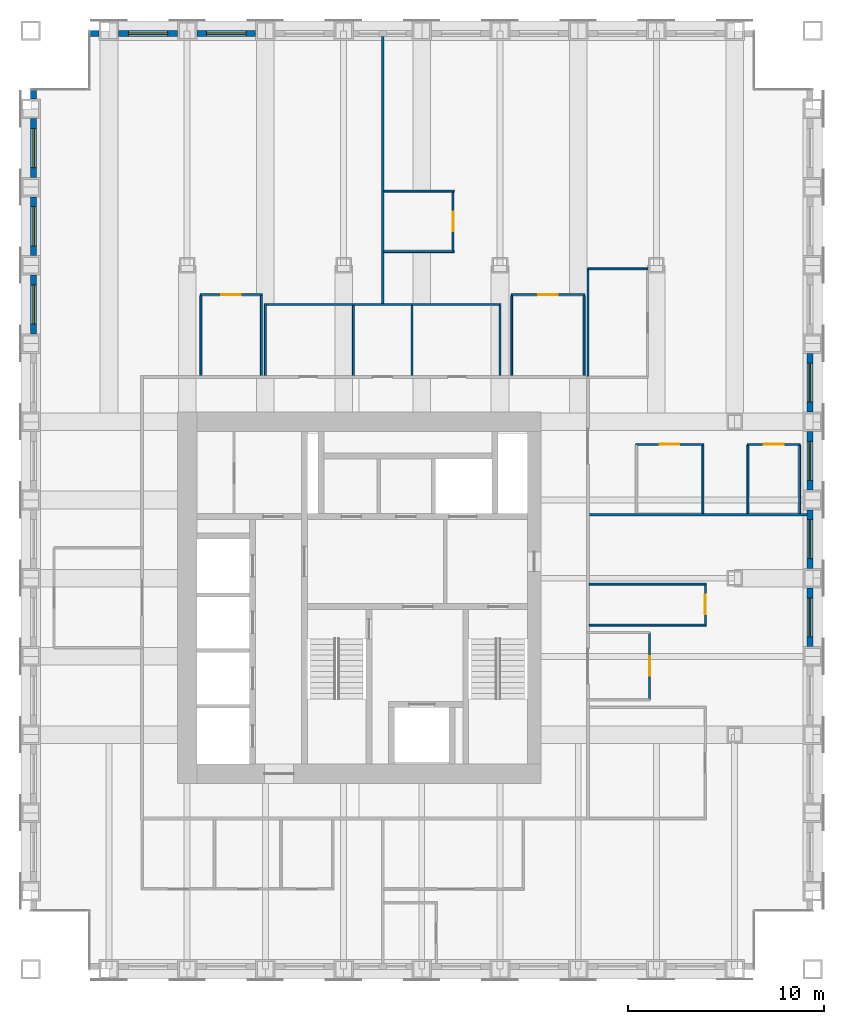
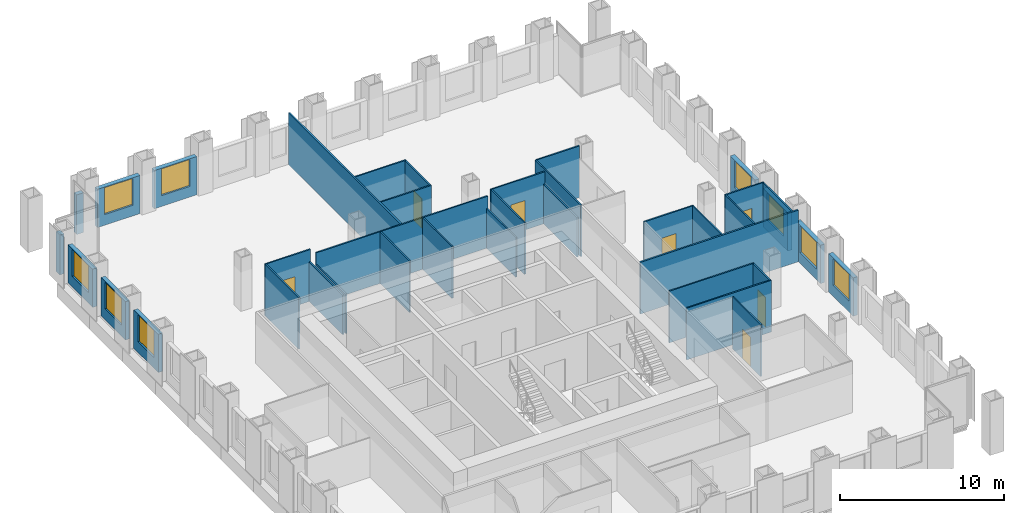
# One storey, part 11 of 14: 38 walls, 9 windows, 7 doors, 16 openings.
"""IFC4 building model written with IfcOpenShell, lengths in metres."""

from ifc_helpers import new_model, si_unit, direction, frame, frame_2d, origin, place, context, subcontext, project, spatial, rectangle, extrude, material, layer, layer_set, type_object, element, fill, save


model = new_model("IFC4")

# Units and contexts
model_context = context("Model", 3, precision=1e-05, world=origin(), true_north=direction((0.0, 1.0)))
body_context = subcontext(model_context, "Body", "Model", "MODEL_VIEW")
ifc_project = project(units=[si_unit("LENGTHUNIT", "METRE"), si_unit("AREAUNIT", "SQUARE_METRE"), si_unit("VOLUMEUNIT", "CUBIC_METRE"), si_unit("PLANEANGLEUNIT", "RADIAN"), si_unit("MASSUNIT", "GRAM", prefix="KILO")], contexts=[model_context])

# Site, building, storey
site_placement = place(None, origin())
site = spatial("IfcSite", under=ifc_project, at=site_placement, CompositionType="ELEMENT")
building_placement = place(site_placement, origin())
building = spatial("IfcBuilding", under=site, at=building_placement, Name="Rimbunsela Tower", CompositionType="ELEMENT")
storey_placement = place(building_placement, frame((0.0, 0.0, 226.199951171875)))
storey = spatial("IfcBuildingStorey", under=building, at=storey_placement, Name="L54", CompositionType="ELEMENT", Elevation=226.199951171875)

# Walls
ifc_material_1 = material(Name="Gypsum board on steel studs", Category="steel")
ifc_layer_1 = layer(ifc_material_1, 0.10009765625)
ifc_layer_set_1 = layer_set([ifc_layer_1], Name="Office partition 100")
wall_type_1 = type_object("IfcWallType", Name="Office partition 100", PredefinedType="PARTITIONING", material=ifc_layer_set_1)
for number, where, z_axis, x_axis, name in (
    (1, (38.574951171875, 25.59912109375, 0.0), (0.0, 0.0, 1.0), (1.0, 0.0, 0.0), "Office partition"),
    (2, (38.574951171875, 27.698974609375, 0.0), (0.0, 0.0, 1.0), (1.0, 0.0, 0.0), "Office partition"),
):
    element("IfcWall", number, at=place(storey_placement, frame(where, z_axis=z_axis, x_axis=x_axis)), inside=storey, type_object=wall_type_1, Name=name, PredefinedType="PARTITIONING", context=body_context, shape_type="SweptSolid", body=[
        extrude(rectangle(XDim=5.97509765625, YDim=0.10009765625, at=frame_2d((2.987548828125, 0.0))), origin(), (0.0, 0.0, 1.0), 3.85009765625),
    ])

# Wall, opening, door
wall_1_placement = place(storey_placement, frame((40.925048828125, 34.85009765625, 0.0), z_axis=(0.0, 0.0, 1.0), x_axis=(1.0, 0.0, 0.0)))
wall_1 = element("IfcWall", 3, at=wall_1_placement, inside=storey, type_object=wall_type_1, Name="Office partition", PredefinedType="PARTITIONING", context=body_context, shape_type="SweptSolid", body=[
    extrude(rectangle(XDim=3.5, YDim=0.10009765625, at=frame_2d((1.75, 0.0))), origin(), (0.0, 0.0, 1.0), 3.85009765625),
])
opening_1_placement = place(wall_1_placement, frame((1.25, 0.0, 0.0)))
opening_1 = element("IfcOpeningElement", 4, at=opening_1_placement, cuts=wall_1, Name="Opening D16", PredefinedType="OPENING", context=body_context, shape_type="SweptSolid", body=[
    extrude(rectangle(XDim=1.0, YDim=2.199951171875, at=frame_2d((0.5, 1.10009765625))), frame((0.0, 0.06005859375, 0.0), z_axis=(0.0, -1.0, 0.0), x_axis=(1.0, 0.0, 0.0)), (0.0, 0.0, 1.0), 0.1201171875),
])
ifc_material_2 = material(Name="Timber door", Category="wood")
door_type_1 = type_object("IfcDoorType", Name="Office door 1000", OperationType="SINGLE_SWING_LEFT", PredefinedType="DOOR", material=ifc_material_2)
door_1_placement = place(opening_1_placement, origin())
door_1 = element("IfcDoor", 5, at=door_1_placement, inside=storey, type_object=door_type_1, Name="Office door", OperationType="SINGLE_SWING_LEFT", OverallHeight=2.199951171875, OverallWidth=1.0, PredefinedType="DOOR", context=body_context, shape_type="SweptSolid", body=[
    extrude(rectangle(XDim=1.0, YDim=2.199951171875, at=frame_2d((0.5, 1.10009765625))), frame((0.0, 0.02490234375, 0.0), z_axis=(0.0, -1.0, 0.0), x_axis=(1.0, 0.0, 0.0)), (0.0, 0.0, 1.0), 0.050048828125),
])
fill(opening_1, door_1)

wall_2_placement = place(storey_placement, frame((46.625, 34.85009765625, 0.0), z_axis=(0.0, 0.0, 1.0), x_axis=(1.0, 0.0, 0.0)))
wall_2 = element("IfcWall", 6, at=wall_2_placement, inside=storey, type_object=wall_type_1, Name="Office partition", PredefinedType="PARTITIONING", context=body_context, shape_type="SweptSolid", body=[
    extrude(rectangle(XDim=2.75, YDim=0.10009765625, at=frame_2d((1.375, 0.0))), origin(), (0.0, 0.0, 1.0), 3.85009765625),
])
opening_2_placement = place(wall_2_placement, frame((0.875, 0.0, 0.0)))
opening_2 = element("IfcOpeningElement", 7, at=opening_2_placement, cuts=wall_2, Name="Opening D16", PredefinedType="OPENING", context=body_context, shape_type="SweptSolid", body=[
    extrude(rectangle(XDim=1.0, YDim=2.199951171875, at=frame_2d((0.5, 1.10009765625))), frame((0.0, 0.06005859375, 0.0), z_axis=(0.0, -1.0, 0.0), x_axis=(1.0, 0.0, 0.0)), (0.0, 0.0, 1.0), 0.1201171875),
])
door_2_placement = place(opening_2_placement, origin())
door_2 = element("IfcDoor", 8, at=door_2_placement, inside=storey, type_object=door_type_1, Name="Office door", OperationType="SINGLE_SWING_LEFT", OverallHeight=2.199951171875, OverallWidth=1.0, PredefinedType="DOOR", context=body_context, shape_type="SweptSolid", body=[
    extrude(rectangle(XDim=1.0, YDim=2.199951171875, at=frame_2d((0.5, 1.10009765625))), frame((0.0, 0.02490234375, 0.0), z_axis=(0.0, -1.0, 0.0), x_axis=(1.0, 0.0, 0.0)), (0.0, 0.0, 1.0), 0.050048828125),
])
fill(opening_2, door_2)

wall_3_placement = place(storey_placement, frame((18.64990234375, 42.5, 0.0), z_axis=(0.0, 0.0, 1.0), x_axis=(1.0, 0.0, 0.0)))
wall_3 = element("IfcWall", 9, at=wall_3_placement, inside=storey, type_object=wall_type_1, Name="Office partition", PredefinedType="PARTITIONING", context=body_context, shape_type="SweptSolid", body=[
    extrude(rectangle(XDim=3.2001953125, YDim=0.10009765625, at=frame_2d((1.60009765625, 0.0))), origin(), (0.0, 0.0, 1.0), 3.85009765625),
])
opening_3_placement = place(wall_3_placement, frame((1.10009765625, 0.0, 0.0)))
opening_3 = element("IfcOpeningElement", 10, at=opening_3_placement, cuts=wall_3, Name="Opening D16", PredefinedType="OPENING", context=body_context, shape_type="SweptSolid", body=[
    extrude(rectangle(XDim=1.0, YDim=2.199951171875, at=frame_2d((0.5, 1.10009765625))), frame((0.0, 0.06005859375, 0.0), z_axis=(0.0, -1.0, 0.0), x_axis=(1.0, 0.0, 0.0)), (0.0, 0.0, 1.0), 0.1201171875),
])
door_3_placement = place(opening_3_placement, origin())
door_3 = element("IfcDoor", 11, at=door_3_placement, inside=storey, type_object=door_type_1, Name="Office door", OperationType="SINGLE_SWING_LEFT", OverallHeight=2.199951171875, OverallWidth=1.0, PredefinedType="DOOR", context=body_context, shape_type="SweptSolid", body=[
    extrude(rectangle(XDim=1.0, YDim=2.199951171875, at=frame_2d((0.5, 1.10009765625))), frame((0.0, 0.02490234375, 0.0), z_axis=(0.0, -1.0, 0.0), x_axis=(1.0, 0.0, 0.0)), (0.0, 0.0, 1.0), 0.050048828125),
])
fill(opening_3, door_3)

wall_4_placement = place(storey_placement, frame((34.550048828125, 42.5, 0.0), z_axis=(0.0, 0.0, 1.0), x_axis=(1.0, 0.0, 0.0)))
wall_4 = element("IfcWall", 12, at=wall_4_placement, inside=storey, type_object=wall_type_1, Name="Office partition", PredefinedType="PARTITIONING", context=body_context, shape_type="SweptSolid", body=[
    extrude(rectangle(XDim=3.800048828125, YDim=0.10009765625, at=frame_2d((1.89990234375, 0.0))), origin(), (0.0, 0.0, 1.0), 3.85009765625),
])
opening_4_placement = place(wall_4_placement, frame((1.39990234375, 0.0, 0.0)))
opening_4 = element("IfcOpeningElement", 13, at=opening_4_placement, cuts=wall_4, Name="Opening D17", PredefinedType="OPENING", context=body_context, shape_type="SweptSolid", body=[
    extrude(rectangle(XDim=1.0, YDim=2.199951171875, at=frame_2d((0.5, 1.10009765625))), frame((0.0, 0.06005859375, 0.0), z_axis=(0.0, -1.0, 0.0), x_axis=(1.0, 0.0, 0.0)), (0.0, 0.0, 1.0), 0.1201171875),
])
ifc_material_3 = material(Name="Glazed aluminium door", Category="aluminium")
door_type_2 = type_object("IfcDoorType", Name="Meeting room door 1000 glazed", OperationType="SINGLE_SWING_RIGHT", PredefinedType="DOOR", material=ifc_material_3)
door_4_placement = place(opening_4_placement, origin())
door_4 = element("IfcDoor", 14, at=door_4_placement, inside=storey, type_object=door_type_2, Name="Meeting room door", OperationType="SINGLE_SWING_RIGHT", OverallHeight=2.199951171875, OverallWidth=1.0, PredefinedType="DOOR", context=body_context, shape_type="SweptSolid", body=[
    extrude(rectangle(XDim=1.0, YDim=2.199951171875, at=frame_2d((0.5, 1.10009765625))), frame((0.0, 0.02490234375, 0.0), z_axis=(0.0, -1.0, 0.0), x_axis=(1.0, 0.0, 0.0)), (0.0, 0.0, 1.0), 0.050048828125),
])
fill(opening_4, door_4)

# Walls
for number, where, z_axis, x_axis, name in (
    (15, (28.06005859375, 44.699951171875, 0.0), (0.0, 0.0, 1.0), (1.0, 0.0, 0.0), "Office partition"),
    (16, (28.06005859375, 47.800048828125, 0.0), (0.0, 0.0, 1.0), (1.0, 0.0, 0.0), "Office partition"),
):
    element("IfcWall", number, at=place(storey_placement, frame(where, z_axis=z_axis, x_axis=x_axis)), inside=storey, type_object=wall_type_1, Name=name, PredefinedType="PARTITIONING", context=body_context, shape_type="SweptSolid", body=[
        extrude(rectangle(XDim=3.58984375, YDim=0.10009765625, at=frame_2d((1.794921875, 0.0))), origin(), (0.0, 0.0, 1.0), 3.85009765625),
    ])
wall_5_placement = place(storey_placement, frame((18.699951171875, 38.375, 0.0), z_axis=(0.0, 0.0, 1.0), x_axis=(0.0, 1.0, 0.0)))
element("IfcWall", 17, at=wall_5_placement, inside=storey, type_object=wall_type_1, Name="Office partition", PredefinedType="PARTITIONING", context=body_context, shape_type="SweptSolid", body=[
    extrude(rectangle(XDim=4.074951171875, YDim=0.10009765625, at=frame_2d((2.03759765625, 0.0))), origin(), (0.0, 0.0, 1.0), 3.85009765625),
])
wall_6_placement = place(storey_placement, frame((21.800048828125, 38.375, 0.0), z_axis=(0.0, 0.0, 1.0), x_axis=(0.0, 1.0, 0.0)))
element("IfcWall", 18, at=wall_6_placement, inside=storey, type_object=wall_type_1, Name="Office partition", PredefinedType="PARTITIONING", context=body_context, shape_type="SweptSolid", body=[
    extrude(rectangle(XDim=4.074951171875, YDim=0.10009765625, at=frame_2d((2.03759765625, 0.0))), origin(), (0.0, 0.0, 1.0), 2.949951171875),
])

# Wall, opening, door
wall_7_placement = place(storey_placement, frame((31.60009765625, 44.75, 0.0), z_axis=(0.0, 0.0, 1.0), x_axis=(0.0, 1.0, 0.0)))
wall_7 = element("IfcWall", 19, at=wall_7_placement, inside=storey, type_object=wall_type_1, Name="Office partition", PredefinedType="PARTITIONING", context=body_context, shape_type="SweptSolid", body=[
    extrude(rectangle(XDim=3.0, YDim=0.10009765625, at=frame_2d((1.5, 0.0))), origin(), (0.0, 0.0, 1.0), 3.85009765625),
])
opening_5_placement = place(wall_7_placement, frame((1.0, 0.0, 0.0)))
opening_5 = element("IfcOpeningElement", 20, at=opening_5_placement, cuts=wall_7, Name="Opening D16", PredefinedType="OPENING", context=body_context, shape_type="SweptSolid", body=[
    extrude(rectangle(XDim=1.0, YDim=2.199951171875, at=frame_2d((0.5, 1.10009765625))), frame((0.0, 0.06005859375, 0.0), z_axis=(0.0, -1.0, 0.0), x_axis=(1.0, 0.0, 0.0)), (0.0, 0.0, 1.0), 0.1201171875),
])
door_5_placement = place(opening_5_placement, origin())
door_5 = element("IfcDoor", 21, at=door_5_placement, inside=storey, type_object=door_type_1, Name="Office door", OperationType="SINGLE_SWING_LEFT", OverallHeight=2.199951171875, OverallWidth=1.0, PredefinedType="DOOR", context=body_context, shape_type="SweptSolid", body=[
    extrude(rectangle(XDim=1.0, YDim=2.199951171875, at=frame_2d((0.5, 1.10009765625))), frame((0.0, 0.02490234375, 0.0), z_axis=(0.0, -1.0, 0.0), x_axis=(1.0, 0.0, 0.0)), (0.0, 0.0, 1.0), 0.050048828125),
])
fill(opening_5, door_5)

# Walls
wall_8_placement = place(storey_placement, frame((34.60009765625, 38.375, 0.0), z_axis=(0.0, 0.0, 1.0), x_axis=(0.0, 1.0, 0.0)))
element("IfcWall", 22, at=wall_8_placement, inside=storey, type_object=wall_type_1, Name="Office partition", PredefinedType="PARTITIONING", context=body_context, shape_type="SweptSolid", body=[
    extrude(rectangle(XDim=4.074951171875, YDim=0.10009765625, at=frame_2d((2.03759765625, 0.0))), origin(), (0.0, 0.0, 1.0), 3.85009765625),
])
wall_9_placement = place(storey_placement, frame((38.300048828125, 38.375, 0.0), z_axis=(0.0, 0.0, 1.0), x_axis=(0.0, 1.0, 0.0)))
element("IfcWall", 23, at=wall_9_placement, inside=storey, type_object=wall_type_1, Name="Office partition", PredefinedType="PARTITIONING", context=body_context, shape_type="SweptSolid", body=[
    extrude(rectangle(XDim=4.074951171875, YDim=0.10009765625, at=frame_2d((2.03759765625, 0.0))), origin(), (0.0, 0.0, 1.0), 2.949951171875),
])
wall_10_placement = place(storey_placement, frame((44.375, 31.31005859375, 0.0), z_axis=(0.0, 0.0, 1.0), x_axis=(0.0, 1.0, 0.0)))
element("IfcWall", 24, at=wall_10_placement, inside=storey, type_object=wall_type_1, Name="Office partition", PredefinedType="PARTITIONING", context=body_context, shape_type="SweptSolid", body=[
    extrude(rectangle(XDim=3.489990234375, YDim=0.10009765625, at=frame_2d((1.7451171875, 0.0))), origin(), (0.0, 0.0, 1.0), 3.85009765625),
])

# Wall, opening, door
wall_11_placement = place(storey_placement, frame((44.5, 25.64892578125, 0.0), z_axis=(0.0, 0.0, 1.0), x_axis=(0.0, 1.0, 0.0)))
wall_11 = element("IfcWall", 25, at=wall_11_placement, inside=storey, type_object=wall_type_1, Name="Office partition", PredefinedType="PARTITIONING", context=body_context, shape_type="SweptSolid", body=[
    extrude(rectangle(XDim=2.0, YDim=0.10009765625, at=frame_2d((1.0, 0.0))), origin(), (0.0, 0.0, 1.0), 3.85009765625),
])
opening_6_placement = place(wall_11_placement, frame((0.5, 0.0, 0.0)))
opening_6 = element("IfcOpeningElement", 26, at=opening_6_placement, cuts=wall_11, Name="Opening D16", PredefinedType="OPENING", context=body_context, shape_type="SweptSolid", body=[
    extrude(rectangle(XDim=1.0, YDim=2.199951171875, at=frame_2d((0.5, 1.10009765625))), frame((0.0, 0.06005859375, 0.0), z_axis=(0.0, -1.0, 0.0), x_axis=(1.0, 0.0, 0.0)), (0.0, 0.0, 1.0), 0.1201171875),
])
door_6_placement = place(opening_6_placement, origin())
door_6 = element("IfcDoor", 27, at=door_6_placement, inside=storey, type_object=door_type_1, Name="Office door", OperationType="SINGLE_SWING_LEFT", OverallHeight=2.199951171875, OverallWidth=1.0, PredefinedType="DOOR", context=body_context, shape_type="SweptSolid", body=[
    extrude(rectangle(XDim=1.0, YDim=2.199951171875, at=frame_2d((0.5, 1.10009765625))), frame((0.0, 0.02490234375, 0.0), z_axis=(0.0, -1.0, 0.0), x_axis=(1.0, 0.0, 0.0)), (0.0, 0.0, 1.0), 0.050048828125),
])
fill(opening_6, door_6)

# Walls
for number, where, z_axis, x_axis, name in (
    (28, (46.675048828125, 31.31005859375, 0.0), (0.0, 0.0, 1.0), (0.0, 1.0, 0.0), "Office partition"),
    (29, (49.324951171875, 31.31005859375, 0.0), (0.0, 0.0, 1.0), (0.0, 1.0, 0.0), "Office partition"),
):
    element("IfcWall", number, at=place(storey_placement, frame(where, z_axis=z_axis, x_axis=x_axis)), inside=storey, type_object=wall_type_1, Name=name, PredefinedType="PARTITIONING", context=body_context, shape_type="SweptSolid", body=[
        extrude(rectangle(XDim=3.489990234375, YDim=0.10009765625, at=frame_2d((1.7451171875, 0.0))), origin(), (0.0, 0.0, 1.0), 3.85009765625),
    ])

# Wall, opening, door
wall_12_placement = place(storey_placement, frame((41.64990234375, 21.77392578125, 0.0), z_axis=(0.0, 0.0, 1.0), x_axis=(0.0, 1.0, 0.0)))
wall_12 = element("IfcWall", 30, at=wall_12_placement, inside=storey, type_object=wall_type_1, Name="Office partition", PredefinedType="PARTITIONING", context=body_context, shape_type="SweptSolid", body=[
    extrude(rectangle(XDim=3.4501953125, YDim=0.10009765625, at=frame_2d((1.72509765625, 0.0))), origin(), (0.0, 0.0, 1.0), 3.85009765625),
])
opening_7_placement = place(wall_12_placement, frame((1.22509765625, 0.0, 0.0)))
opening_7 = element("IfcOpeningElement", 31, at=opening_7_placement, cuts=wall_12, Name="Opening D17", PredefinedType="OPENING", context=body_context, shape_type="SweptSolid", body=[
    extrude(rectangle(XDim=1.0, YDim=2.199951171875, at=frame_2d((0.5, 1.10009765625))), frame((0.0, 0.06005859375, 0.0), z_axis=(0.0, -1.0, 0.0), x_axis=(1.0, 0.0, 0.0)), (0.0, 0.0, 1.0), 0.1201171875),
])
door_7_placement = place(opening_7_placement, origin())
door_7 = element("IfcDoor", 32, at=door_7_placement, inside=storey, type_object=door_type_2, Name="Reception door", OperationType="SINGLE_SWING_RIGHT", OverallHeight=2.199951171875, OverallWidth=1.0, PredefinedType="DOOR", context=body_context, shape_type="SweptSolid", body=[
    extrude(rectangle(XDim=1.0, YDim=2.199951171875, at=frame_2d((0.5, 1.10009765625))), frame((0.0, 0.02490234375, 0.0), z_axis=(0.0, -1.0, 0.0), x_axis=(1.0, 0.0, 0.0)), (0.0, 0.0, 1.0), 0.050048828125),
])
fill(opening_7, door_7)

# Walls
wall_13_placement = place(storey_placement, frame((41.550048828125, 43.825927734375, 0.0), z_axis=(0.0, 0.0, 1.0), x_axis=(-1.0, 0.0, 0.0)))
element("IfcWall", 33, at=wall_13_placement, inside=storey, type_object=wall_type_1, Name="Office partition", PredefinedType="PARTITIONING", context=body_context, shape_type="SweptSolid", body=[
    extrude(rectangle(XDim=3.050048828125, YDim=0.10009765625, at=frame_2d((1.52490234375, 0.0))), origin(), (0.0, 0.0, 1.0), 3.85009765625),
])
wall_14_placement = place(storey_placement, frame((38.5, 43.825927734375, 0.0), z_axis=(0.0, 0.0, 1.0), x_axis=(0.0, -1.0, 0.0)))
element("IfcWall", 34, at=wall_14_placement, inside=storey, type_object=wall_type_1, Name="Office partition", PredefinedType="PARTITIONING", context=body_context, shape_type="SweptSolid", body=[
    extrude(rectangle(XDim=5.52587890625, YDim=0.10009765625, at=frame_2d((2.762939453125, 0.0))), origin(), (0.0, 0.0, 1.0), 3.85009765625),
])

# Wall, opening, window
ifc_material_4 = material(Name="Precast concrete fc' 35 MPa", Category="concrete")
ifc_layer_2 = layer(ifc_material_4, 0.300048828125)
ifc_layer_set_2 = layer_set([ifc_layer_2], Name="Precast concrete fc' 35 MPa")
wall_type_2 = type_object("IfcWallType", Name="Precast facade panel 300", PredefinedType="ELEMENTEDWALL", material=ifc_layer_set_2)
wall_15_placement = place(storey_placement, frame((49.85009765625, 24.5, 0.0), z_axis=(0.0, 0.0, 1.0), x_axis=(0.0, 1.0, 0.0)))
wall_15 = element("IfcWall", 35, at=wall_15_placement, inside=storey, type_object=wall_type_2, Name="Facade panel E L54", PredefinedType="ELEMENTEDWALL", context=body_context, shape_type="SweptSolid", body=[
    extrude(rectangle(XDim=3.0, YDim=0.300048828125, at=frame_2d((1.5, 0.0))), origin(), (0.0, 0.0, 1.0), 2.85009765625),
])
opening_8_placement = place(wall_15_placement, frame((0.5, 0.0, 0.800048828125)))
opening_8 = element("IfcOpeningElement", 36, at=opening_8_placement, cuts=wall_15, Name="Opening W1", PredefinedType="OPENING", context=body_context, shape_type="SweptSolid", body=[
    extrude(rectangle(XDim=2.0, YDim=2.0, at=frame_2d((1.0, 1.0))), frame((0.0, 0.159912109375, 0.0), z_axis=(0.0, -1.0, 0.0), x_axis=(1.0, 0.0, 0.0)), (0.0, 0.0, 1.0), 0.320068359375),
])
ifc_material_5 = material(Name="Clear glass in aluminium frame", Category="aluminium")
window_type = type_object("IfcWindowType", Name="Window W1 2000x2000", PartitioningType="DOUBLE_PANEL_VERTICAL", PredefinedType="WINDOW", material=ifc_material_5)
window_1_placement = place(opening_8_placement, origin())
window_1 = element("IfcWindow", 37, at=window_1_placement, inside=storey, type_object=window_type, Name="Window L54", OverallHeight=2.0, OverallWidth=2.0, PartitioningType="SINGLE_PANEL", PredefinedType="WINDOW", context=body_context, shape_type="SweptSolid", body=[
    extrude(rectangle(XDim=2.0, YDim=2.0, at=frame_2d((1.0, 1.0))), frame((0.0, 0.030029296875, 0.0), z_axis=(0.0, -1.0, 0.0), x_axis=(1.0, 0.0, 0.0)), (0.0, 0.0, 1.0), 0.06005859375),
])
fill(opening_8, window_1)

wall_16_placement = place(storey_placement, frame((49.85009765625, 28.5, 0.0), z_axis=(0.0, 0.0, 1.0), x_axis=(0.0, 1.0, 0.0)))
wall_16 = element("IfcWall", 38, at=wall_16_placement, inside=storey, type_object=wall_type_2, Name="Facade panel E L54", PredefinedType="ELEMENTEDWALL", context=body_context, shape_type="SweptSolid", body=[
    extrude(rectangle(XDim=3.0, YDim=0.300048828125, at=frame_2d((1.5, 0.0))), origin(), (0.0, 0.0, 1.0), 2.85009765625),
])
opening_9_placement = place(wall_16_placement, frame((0.5, 0.0, 0.800048828125)))
opening_9 = element("IfcOpeningElement", 39, at=opening_9_placement, cuts=wall_16, Name="Opening W1", PredefinedType="OPENING", context=body_context, shape_type="SweptSolid", body=[
    extrude(rectangle(XDim=2.0, YDim=2.0, at=frame_2d((1.0, 1.0))), frame((0.0, 0.159912109375, 0.0), z_axis=(0.0, -1.0, 0.0), x_axis=(1.0, 0.0, 0.0)), (0.0, 0.0, 1.0), 0.320068359375),
])
window_2_placement = place(opening_9_placement, origin())
window_2 = element("IfcWindow", 40, at=window_2_placement, inside=storey, type_object=window_type, Name="Window L54", OverallHeight=2.0, OverallWidth=2.0, PartitioningType="SINGLE_PANEL", PredefinedType="WINDOW", context=body_context, shape_type="SweptSolid", body=[
    extrude(rectangle(XDim=2.0, YDim=2.0, at=frame_2d((1.0, 1.0))), frame((0.0, 0.030029296875, 0.0), z_axis=(0.0, -1.0, 0.0), x_axis=(1.0, 0.0, 0.0)), (0.0, 0.0, 1.0), 0.06005859375),
])
fill(opening_9, window_2)

wall_17_placement = place(storey_placement, frame((49.85009765625, 32.5, 0.0), z_axis=(0.0, 0.0, 1.0), x_axis=(0.0, 1.0, 0.0)))
wall_17 = element("IfcWall", 41, at=wall_17_placement, inside=storey, type_object=wall_type_2, Name="Facade panel E L54", PredefinedType="ELEMENTEDWALL", context=body_context, shape_type="SweptSolid", body=[
    extrude(rectangle(XDim=3.0, YDim=0.300048828125, at=frame_2d((1.5, 0.0))), origin(), (0.0, 0.0, 1.0), 2.85009765625),
])
opening_10_placement = place(wall_17_placement, frame((0.5, 0.0, 0.800048828125)))
opening_10 = element("IfcOpeningElement", 42, at=opening_10_placement, cuts=wall_17, Name="Opening W1", PredefinedType="OPENING", context=body_context, shape_type="SweptSolid", body=[
    extrude(rectangle(XDim=2.0, YDim=2.0, at=frame_2d((1.0, 1.0))), frame((0.0, 0.159912109375, 0.0), z_axis=(0.0, -1.0, 0.0), x_axis=(1.0, 0.0, 0.0)), (0.0, 0.0, 1.0), 0.320068359375),
])
window_3_placement = place(opening_10_placement, origin())
window_3 = element("IfcWindow", 43, at=window_3_placement, inside=storey, type_object=window_type, Name="Window L54", OverallHeight=2.0, OverallWidth=2.0, PartitioningType="SINGLE_PANEL", PredefinedType="WINDOW", context=body_context, shape_type="SweptSolid", body=[
    extrude(rectangle(XDim=2.0, YDim=2.0, at=frame_2d((1.0, 1.0))), frame((0.0, 0.030029296875, 0.0), z_axis=(0.0, -1.0, 0.0), x_axis=(1.0, 0.0, 0.0)), (0.0, 0.0, 1.0), 0.06005859375),
])
fill(opening_10, window_3)

wall_18_placement = place(storey_placement, frame((49.85009765625, 36.5, 0.0), z_axis=(0.0, 0.0, 1.0), x_axis=(0.0, 1.0, 0.0)))
wall_18 = element("IfcWall", 44, at=wall_18_placement, inside=storey, type_object=wall_type_2, Name="Facade panel E L54", PredefinedType="ELEMENTEDWALL", context=body_context, shape_type="SweptSolid", body=[
    extrude(rectangle(XDim=3.0, YDim=0.300048828125, at=frame_2d((1.5, 0.0))), origin(), (0.0, 0.0, 1.0), 2.85009765625),
])
opening_11_placement = place(wall_18_placement, frame((0.5, 0.0, 0.800048828125)))
opening_11 = element("IfcOpeningElement", 45, at=opening_11_placement, cuts=wall_18, Name="Opening W1", PredefinedType="OPENING", context=body_context, shape_type="SweptSolid", body=[
    extrude(rectangle(XDim=2.0, YDim=2.0, at=frame_2d((1.0, 1.0))), frame((0.0, 0.159912109375, 0.0), z_axis=(0.0, -1.0, 0.0), x_axis=(1.0, 0.0, 0.0)), (0.0, 0.0, 1.0), 0.320068359375),
])
window_4_placement = place(opening_11_placement, origin())
window_4 = element("IfcWindow", 46, at=window_4_placement, inside=storey, type_object=window_type, Name="Window L54", OverallHeight=2.0, OverallWidth=2.0, PartitioningType="SINGLE_PANEL", PredefinedType="WINDOW", context=body_context, shape_type="SweptSolid", body=[
    extrude(rectangle(XDim=2.0, YDim=2.0, at=frame_2d((1.0, 1.0))), frame((0.0, 0.030029296875, 0.0), z_axis=(0.0, -1.0, 0.0), x_axis=(1.0, 0.0, 0.0)), (0.0, 0.0, 1.0), 0.06005859375),
])
fill(opening_11, window_4)

# Wall
wall_19_placement = place(storey_placement, frame((13.5, 55.85009765625, 0.0), z_axis=(0.0, 0.0, 1.0), x_axis=(-1.0, 0.0, 0.0)))
element("IfcWall", 47, at=wall_19_placement, inside=storey, type_object=wall_type_2, Name="Facade panel N L54", PredefinedType="ELEMENTEDWALL", context=body_context, shape_type="SweptSolid", body=[
    extrude(rectangle(XDim=0.469970703125, YDim=0.300048828125, at=frame_2d((0.23486328125, 0.0))), origin(), (0.0, 0.0, 1.0), 2.949951171875),
])

# Wall, opening, window
wall_20_placement = place(storey_placement, frame((17.5, 55.85009765625, 0.0), z_axis=(0.0, 0.0, 1.0), x_axis=(-1.0, 0.0, 0.0)))
wall_20 = element("IfcWall", 48, at=wall_20_placement, inside=storey, type_object=wall_type_2, Name="Facade panel N L54", PredefinedType="ELEMENTEDWALL", context=body_context, shape_type="SweptSolid", body=[
    extrude(rectangle(XDim=3.0, YDim=0.300048828125, at=frame_2d((1.5, 0.0))), origin(), (0.0, 0.0, 1.0), 2.85009765625),
])
opening_12_placement = place(wall_20_placement, frame((0.5, 0.0, 0.800048828125)))
opening_12 = element("IfcOpeningElement", 49, at=opening_12_placement, cuts=wall_20, Name="Opening W1", PredefinedType="OPENING", context=body_context, shape_type="SweptSolid", body=[
    extrude(rectangle(XDim=2.0, YDim=2.0, at=frame_2d((1.0, 1.0))), frame((0.0, 0.159912109375, 0.0), z_axis=(0.0, -1.0, 0.0), x_axis=(1.0, 0.0, 0.0)), (0.0, 0.0, 1.0), 0.320068359375),
])
window_5_placement = place(opening_12_placement, origin())
window_5 = element("IfcWindow", 50, at=window_5_placement, inside=storey, type_object=window_type, Name="Window L54", OverallHeight=2.0, OverallWidth=2.0, PartitioningType="SINGLE_PANEL", PredefinedType="WINDOW", context=body_context, shape_type="SweptSolid", body=[
    extrude(rectangle(XDim=2.0, YDim=2.0, at=frame_2d((1.0, 1.0))), frame((0.0, 0.030029296875, 0.0), z_axis=(0.0, -1.0, 0.0), x_axis=(1.0, 0.0, 0.0)), (0.0, 0.0, 1.0), 0.06005859375),
])
fill(opening_12, window_5)

wall_21_placement = place(storey_placement, frame((21.5, 55.85009765625, 0.0), z_axis=(0.0, 0.0, 1.0), x_axis=(-1.0, 0.0, 0.0)))
wall_21 = element("IfcWall", 51, at=wall_21_placement, inside=storey, type_object=wall_type_2, Name="Facade panel N L54", PredefinedType="ELEMENTEDWALL", context=body_context, shape_type="SweptSolid", body=[
    extrude(rectangle(XDim=3.0, YDim=0.300048828125, at=frame_2d((1.5, 0.0))), origin(), (0.0, 0.0, 1.0), 2.85009765625),
])
opening_13_placement = place(wall_21_placement, frame((0.5, 0.0, 0.800048828125)))
opening_13 = element("IfcOpeningElement", 52, at=opening_13_placement, cuts=wall_21, Name="Opening W1", PredefinedType="OPENING", context=body_context, shape_type="SweptSolid", body=[
    extrude(rectangle(XDim=2.0, YDim=2.0, at=frame_2d((1.0, 1.0))), frame((0.0, 0.159912109375, 0.0), z_axis=(0.0, -1.0, 0.0), x_axis=(1.0, 0.0, 0.0)), (0.0, 0.0, 1.0), 0.320068359375),
])
window_6_placement = place(opening_13_placement, origin())
window_6 = element("IfcWindow", 53, at=window_6_placement, inside=storey, type_object=window_type, Name="Window L54", OverallHeight=2.0, OverallWidth=2.0, PartitioningType="SINGLE_PANEL", PredefinedType="WINDOW", context=body_context, shape_type="SweptSolid", body=[
    extrude(rectangle(XDim=2.0, YDim=2.0, at=frame_2d((1.0, 1.0))), frame((0.0, 0.030029296875, 0.0), z_axis=(0.0, -1.0, 0.0), x_axis=(1.0, 0.0, 0.0)), (0.0, 0.0, 1.0), 0.06005859375),
])
fill(opening_13, window_6)

wall_22_placement = place(storey_placement, frame((10.14990234375, 43.5, 0.0), z_axis=(0.0, 0.0, 1.0), x_axis=(0.0, -1.0, 0.0)))
wall_22 = element("IfcWall", 54, at=wall_22_placement, inside=storey, type_object=wall_type_2, Name="Facade panel W L54", PredefinedType="ELEMENTEDWALL", context=body_context, shape_type="SweptSolid", body=[
    extrude(rectangle(XDim=3.0, YDim=0.300048828125, at=frame_2d((1.5, 0.0))), origin(), (0.0, 0.0, 1.0), 2.85009765625),
])
opening_14_placement = place(wall_22_placement, frame((0.5, 0.0, 0.800048828125)))
opening_14 = element("IfcOpeningElement", 55, at=opening_14_placement, cuts=wall_22, Name="Opening W1", PredefinedType="OPENING", context=body_context, shape_type="SweptSolid", body=[
    extrude(rectangle(XDim=2.0, YDim=2.0, at=frame_2d((1.0, 1.0))), frame((0.0, 0.159912109375, 0.0), z_axis=(0.0, -1.0, 0.0), x_axis=(1.0, 0.0, 0.0)), (0.0, 0.0, 1.0), 0.320068359375),
])
window_7_placement = place(opening_14_placement, origin())
window_7 = element("IfcWindow", 56, at=window_7_placement, inside=storey, type_object=window_type, Name="Window L54", OverallHeight=2.0, OverallWidth=2.0, PartitioningType="SINGLE_PANEL", PredefinedType="WINDOW", context=body_context, shape_type="SweptSolid", body=[
    extrude(rectangle(XDim=2.0, YDim=2.0, at=frame_2d((1.0, 1.0))), frame((0.0, 0.030029296875, 0.0), z_axis=(0.0, -1.0, 0.0), x_axis=(1.0, 0.0, 0.0)), (0.0, 0.0, 1.0), 0.06005859375),
])
fill(opening_14, window_7)

wall_23_placement = place(storey_placement, frame((10.14990234375, 47.5, 0.0), z_axis=(0.0, 0.0, 1.0), x_axis=(0.0, -1.0, 0.0)))
wall_23 = element("IfcWall", 57, at=wall_23_placement, inside=storey, type_object=wall_type_2, Name="Facade panel W L54", PredefinedType="ELEMENTEDWALL", context=body_context, shape_type="SweptSolid", body=[
    extrude(rectangle(XDim=3.0, YDim=0.300048828125, at=frame_2d((1.5, 0.0))), origin(), (0.0, 0.0, 1.0), 2.85009765625),
])
opening_15_placement = place(wall_23_placement, frame((0.5, 0.0, 0.800048828125)))
opening_15 = element("IfcOpeningElement", 58, at=opening_15_placement, cuts=wall_23, Name="Opening W1", PredefinedType="OPENING", context=body_context, shape_type="SweptSolid", body=[
    extrude(rectangle(XDim=2.0, YDim=2.0, at=frame_2d((1.0, 1.0))), frame((0.0, 0.159912109375, 0.0), z_axis=(0.0, -1.0, 0.0), x_axis=(1.0, 0.0, 0.0)), (0.0, 0.0, 1.0), 0.320068359375),
])
window_8_placement = place(opening_15_placement, origin())
window_8 = element("IfcWindow", 59, at=window_8_placement, inside=storey, type_object=window_type, Name="Window L54", OverallHeight=2.0, OverallWidth=2.0, PartitioningType="SINGLE_PANEL", PredefinedType="WINDOW", context=body_context, shape_type="SweptSolid", body=[
    extrude(rectangle(XDim=2.0, YDim=2.0, at=frame_2d((1.0, 1.0))), frame((0.0, 0.030029296875, 0.0), z_axis=(0.0, -1.0, 0.0), x_axis=(1.0, 0.0, 0.0)), (0.0, 0.0, 1.0), 0.06005859375),
])
fill(opening_15, window_8)

wall_24_placement = place(storey_placement, frame((10.14990234375, 51.5, 0.0), z_axis=(0.0, 0.0, 1.0), x_axis=(0.0, -1.0, 0.0)))
wall_24 = element("IfcWall", 60, at=wall_24_placement, inside=storey, type_object=wall_type_2, Name="Facade panel W L54", PredefinedType="ELEMENTEDWALL", context=body_context, shape_type="SweptSolid", body=[
    extrude(rectangle(XDim=3.0, YDim=0.300048828125, at=frame_2d((1.5, 0.0))), origin(), (0.0, 0.0, 1.0), 2.85009765625),
])
opening_16_placement = place(wall_24_placement, frame((0.5, 0.0, 0.800048828125)))
opening_16 = element("IfcOpeningElement", 61, at=opening_16_placement, cuts=wall_24, Name="Opening W1", PredefinedType="OPENING", context=body_context, shape_type="SweptSolid", body=[
    extrude(rectangle(XDim=2.0, YDim=2.0, at=frame_2d((1.0, 1.0))), frame((0.0, 0.159912109375, 0.0), z_axis=(0.0, -1.0, 0.0), x_axis=(1.0, 0.0, 0.0)), (0.0, 0.0, 1.0), 0.320068359375),
])
window_9_placement = place(opening_16_placement, origin())
window_9 = element("IfcWindow", 62, at=window_9_placement, inside=storey, type_object=window_type, Name="Window L54", OverallHeight=2.0, OverallWidth=2.0, PartitioningType="SINGLE_PANEL", PredefinedType="WINDOW", context=body_context, shape_type="SweptSolid", body=[
    extrude(rectangle(XDim=2.0, YDim=2.0, at=frame_2d((1.0, 1.0))), frame((0.0, 0.030029296875, 0.0), z_axis=(0.0, -1.0, 0.0), x_axis=(1.0, 0.0, 0.0)), (0.0, 0.0, 1.0), 0.06005859375),
])
fill(opening_16, window_9)

# Walls
wall_25_placement = place(storey_placement, frame((10.14990234375, 52.969970703125, 0.0), z_axis=(0.0, 0.0, 1.0), x_axis=(0.0, -1.0, 0.0)))
element("IfcWall", 63, at=wall_25_placement, inside=storey, type_object=wall_type_2, Name="Facade panel W L54", PredefinedType="ELEMENTEDWALL", context=body_context, shape_type="SweptSolid", body=[
    extrude(rectangle(XDim=0.469970703125, YDim=0.300048828125, at=frame_2d((0.23486328125, 0.0))), origin(), (0.0, 0.0, 1.0), 2.949951171875),
])
ifc_material_6 = material(Name="Gypsum board on steel studs", Category="steel")
ifc_layer_3 = layer(ifc_material_6, 0.1201171875)
ifc_layer_set_3 = layer_set([ifc_layer_3], Name="Tenancy partition 120")
wall_type_3 = type_object("IfcWallType", Name="Tenancy partition 120", PredefinedType="PARTITIONING", material=ifc_layer_set_3)
wall_26_placement = place(storey_placement, frame((28.0, 42.050048828125, 0.0), z_axis=(0.0, 0.0, 1.0), x_axis=(0.0, 1.0, 0.0)))
element("IfcWall", 64, at=wall_26_placement, inside=storey, type_object=wall_type_3, Name="Tenancy partition north", PredefinedType="PARTITIONING", context=body_context, shape_type="SweptSolid", body=[
    extrude(rectangle(XDim=13.64990234375, YDim=0.1201171875, at=frame_2d((6.824951171875, 0.0))), origin(), (0.0, 0.0, 1.0), 3.85009765625),
])
wall_27_placement = place(storey_placement, frame((38.574951171875, 31.25, 0.0), z_axis=(0.0, 0.0, 1.0), x_axis=(1.0, 0.0, 0.0)))
element("IfcWall", 65, at=wall_27_placement, inside=storey, type_object=wall_type_3, Name="Tenancy partition", PredefinedType="PARTITIONING", context=body_context, shape_type="SweptSolid", body=[
    extrude(rectangle(XDim=11.125, YDim=0.1201171875, at=frame_2d((5.5625, 0.0))), origin(), (0.0, 0.0, 1.0), 3.85009765625),
])
ifc_material_7 = material(Name="Concrete blockwork", Category="masonry")
ifc_layer_4 = layer(ifc_material_7, 0.10009765625)
ifc_layer_set_4 = layer_set([ifc_layer_4], Name="Toilet partition 100")
wall_type_4 = type_object("IfcWallType", Name="Toilet partition 100", PredefinedType="PARTITIONING", material=ifc_layer_set_4)
for number, where, z_axis, x_axis, name in (
    (66, (22.0, 38.375, 0.0), (0.0, 0.0, 1.0), (0.0, 1.0, 0.0), "Toilet block wall west"),
    (67, (34.0, 38.375, 0.0), (0.0, 0.0, 1.0), (0.0, 1.0, 0.0), "Toilet block wall east"),
):
    element("IfcWall", number, at=place(storey_placement, frame(where, z_axis=z_axis, x_axis=x_axis)), inside=storey, type_object=wall_type_4, Name=name, PredefinedType="PARTITIONING", context=body_context, shape_type="SweptSolid", body=[
        extrude(rectangle(XDim=3.675048828125, YDim=0.10009765625, at=frame_2d((1.83740234375, 0.0))), origin(), (0.0, 0.0, 1.0), 2.949951171875),
    ])
wall_28_placement = place(storey_placement, frame((21.949951171875, 42.0, 0.0), z_axis=(0.0, 0.0, 1.0), x_axis=(1.0, 0.0, 0.0)))
element("IfcWall", 68, at=wall_28_placement, inside=storey, type_object=wall_type_4, Name="Toilet block wall north", PredefinedType="PARTITIONING", context=body_context, shape_type="SweptSolid", body=[
    extrude(rectangle(XDim=12.10009765625, YDim=0.10009765625, at=frame_2d((6.050048828125, 0.0))), origin(), (0.0, 0.0, 1.0), 3.85009765625),
])
for number, where, z_axis, x_axis, name in (
    (69, (26.5, 38.375, 0.0), (0.0, 0.0, 1.0), (0.0, 1.0, 0.0), "Toilet partition"),
    (70, (29.5, 38.375, 0.0), (0.0, 0.0, 1.0), (0.0, 1.0, 0.0), "Toilet partition"),
):
    element("IfcWall", number, at=place(storey_placement, frame(where, z_axis=z_axis, x_axis=x_axis)), inside=storey, type_object=wall_type_4, Name=name, PredefinedType="PARTITIONING", context=body_context, shape_type="SweptSolid", body=[
        extrude(rectangle(XDim=3.574951171875, YDim=0.10009765625, at=frame_2d((1.78759765625, 0.0))), origin(), (0.0, 0.0, 1.0), 3.85009765625),
    ])

save(model, "model.ifc")
